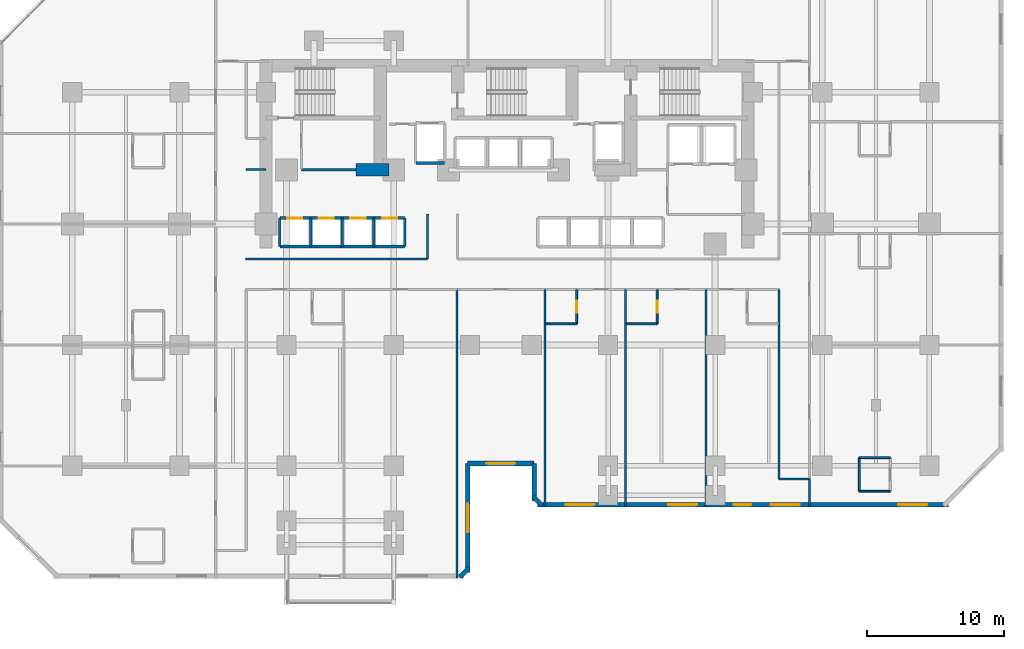
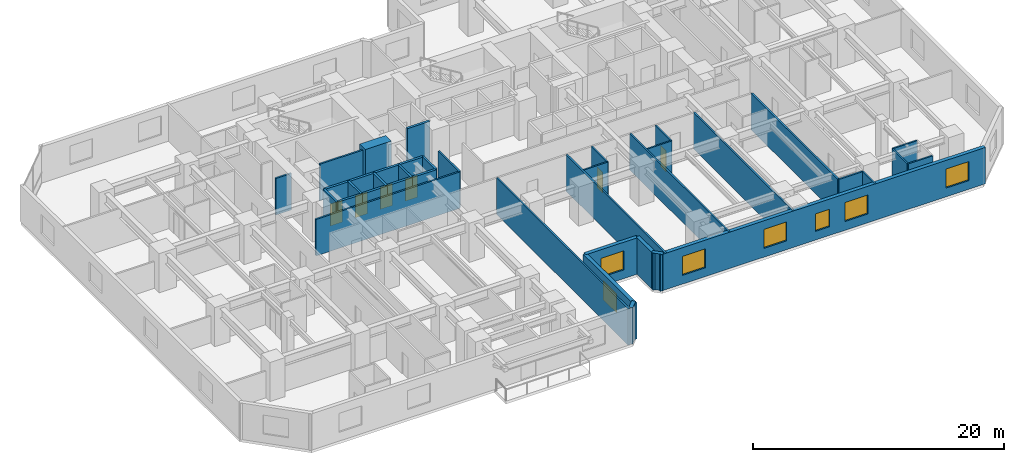
# One storey, part 6 of 12: 39 walls, 7 windows, 6 doors, 13 openings.
"""IFC4 building model written with IfcOpenShell, lengths in metres."""

import ifcopenshell
import ifcopenshell.guid

model = None  # the IFC model being written
_history = None  # IfcOwnerHistory: only IFC2X3 demands one
_inside = {}  # id of a spatial element -> (the spatial element, [elements in it])
_under = {}  # id of a project, library or spatial element -> (it, [spatial elements below it])
_declared = {}  # id of a project -> (the project, [libraries it declares])
_typed = {}  # id of a type object -> (the type object, [elements of that type])
_made_of = {}  # id of a material, layer set ... -> (it, [elements and type objects made of it])


def new_model(schema):
    """Start an empty IFC model of exactly this schema.

    Asked for "IFC4X3", IfcOpenShell would pick the latest addendum, in which some entities
    have other attributes; the version numbers below select the first issue.
    IFC2X3 requires an IfcOwnerHistory on every rooted entity: one is made here for all.
    """
    global model, _history
    if schema == "IFC4X3":
        model = ifcopenshell.file(schema_version=(4, 3, 0, 0))
    else:
        model = ifcopenshell.file(schema=schema)
    _inside.clear()
    _under.clear()
    _declared.clear()
    _typed.clear()
    _made_of.clear()
    _history = None
    if model.schema == "IFC2X3":
        org = make("IfcOrganization", Name="unknown")
        user = make(
            "IfcPersonAndOrganization",
            ThePerson=make("IfcPerson", FamilyName="unknown"),
            TheOrganization=org,
        )
        app = make(
            "IfcApplication",
            ApplicationDeveloper=org,
            Version="unknown",
            ApplicationFullName="unknown",
            ApplicationIdentifier="unknown",
        )
        _history = make(
            "IfcOwnerHistory",
            OwningUser=user,
            OwningApplication=app,
            ChangeAction="ADDED",
            CreationDate=0,
        )
    return model


def make(cls, **values):
    """One entity of the class cls with the attributes given. An attribute that is None is left unset."""
    return model.create_entity(
        cls, **{name: value for name, value in values.items() if value is not None}
    )


def rooted(cls, **values):
    """An entity with a GlobalId (a new one), such as an element, a storey or a relation."""
    return make(cls, GlobalId=ifcopenshell.guid.new(), OwnerHistory=_history, **values)


def si_unit(unit_type, name, prefix=None):
    """IfcSIUnit, for example si_unit("LENGTHUNIT", "METRE", prefix="MILLI")."""
    return make("IfcSIUnit", UnitType=unit_type, Prefix=prefix, Name=name)


def assignment(units):
    """IfcUnitAssignment: the units of a project."""
    return None if units is None else make("IfcUnitAssignment", Units=units)


def point(xyz):
    """IfcCartesianPoint."""
    return None if xyz is None else make("IfcCartesianPoint", Coordinates=xyz)


def direction(xyz):
    """IfcDirection."""
    return None if xyz is None else make("IfcDirection", DirectionRatios=xyz)


def frame(location, z_axis=None, x_axis=None):
    """IfcAxis2Placement3D, a coordinate frame: its origin and axes. An axis left out is left unset."""
    return make(
        "IfcAxis2Placement3D",
        Location=point(location),
        Axis=direction(z_axis),
        RefDirection=direction(x_axis),
    )


def frame_2d(location, x_axis=None):
    """IfcAxis2Placement2D, a coordinate frame in the plane: its origin and x axis."""
    return make(
        "IfcAxis2Placement2D", Location=point(location), RefDirection=direction(x_axis)
    )


def origin():
    """The frame at (0, 0, 0) with its axes left unset."""
    return frame((0.0, 0.0, 0.0))


def place(relative_to, where):
    """IfcLocalPlacement: puts the frame where relative to a parent placement (None: the world)."""
    return make(
        "IfcLocalPlacement", PlacementRelTo=relative_to, RelativePlacement=where
    )


def context(
    kind, dimensions, precision=None, world=None, true_north=None, identifier=None
):
    """IfcGeometricRepresentationContext, for example the 3D "Model" context."""
    return make(
        "IfcGeometricRepresentationContext",
        ContextIdentifier=identifier,
        ContextType=kind,
        CoordinateSpaceDimension=dimensions,
        Precision=precision,
        WorldCoordinateSystem=world,
        TrueNorth=true_north,
    )


def subcontext(parent, identifier, kind, view, scale=None):
    """IfcGeometricRepresentationSubContext, for example "Body" below "Model"."""
    return make(
        "IfcGeometricRepresentationSubContext",
        ContextIdentifier=identifier,
        ContextType=kind,
        ParentContext=parent,
        TargetScale=scale,
        TargetView=view,
    )


def project(units=None, contexts=None):
    """IfcProject with its units and contexts."""
    return rooted(
        "IfcProject",
        Name="project",
        RepresentationContexts=contexts,
        UnitsInContext=assignment(units),
    )


def spatial(cls, under=None, at=None, **own):
    """A site, building, storey or space (cls), placed at a placement, below another one or the project."""
    s = rooted(cls, ObjectPlacement=at, **own)
    if under is not None:
        _under.setdefault(under.id(), (under, []))[1].append(s)
    return s


def profile(cls, at=None, kind="AREA", **sizes):
    """A parametric profile (cls). Its sizes go by their IFC names, for example OverallWidth=200.0."""
    return make(cls, ProfileType=kind, Position=at, **sizes)


def rectangle(**sizes):
    """IfcRectangleProfileDef."""
    return profile("IfcRectangleProfileDef", **sizes)


def extrude(swept, where, along, depth):
    """IfcExtrudedAreaSolid: the profile swept, set in the frame where, extruded along a direction by depth."""
    return make(
        "IfcExtrudedAreaSolid",
        SweptArea=swept,
        Position=where,
        ExtrudedDirection=direction(along),
        Depth=depth,
    )


def shape(context_of_items, identifier, shape_type, items):
    """IfcShapeRepresentation: the items that make up one representation, for example the "Body"."""
    return make(
        "IfcShapeRepresentation",
        ContextOfItems=context_of_items,
        RepresentationIdentifier=identifier,
        RepresentationType=shape_type,
        Items=items,
    )


def material(Name=None, Category=None):
    """IfcMaterial."""
    return make("IfcMaterial", Name=Name, Category=Category)


def layer(
    of_material, thickness, ventilated=None, Name=None, Category=None, Priority=None
):
    """IfcMaterialLayer: one layer of a wall or slab, of a material (None: an air gap)."""
    return make(
        "IfcMaterialLayer",
        Material=of_material,
        LayerThickness=thickness,
        IsVentilated=ventilated,
        Name=Name,
        Category=Category,
        Priority=Priority,
    )


def layer_set(layers, Name=None):
    """IfcMaterialLayerSet."""
    return make("IfcMaterialLayerSet", MaterialLayers=layers, LayerSetName=Name)


def made_of(thing, what):
    """Note that an element or type object is made of a material, layer set ...; save() writes the relation."""
    if what is not None:
        _made_of.setdefault(what.id(), (what, []))[1].append(thing)
    return thing


def type_object(cls, material=None, **own):
    """A type object (cls), such as IfcWallType, which elements share."""
    return made_of(rooted(cls, **own), material)


def element(
    cls,
    number,
    at=None,
    inside=None,
    cuts=None,
    type_object=None,
    material=None,
    context=None,
    identifier="Body",
    shape_type=None,
    held_by="IfcProductDefinitionShape",
    body=None,
    shapes=None,
    **own,
):
    """One element of the class cls, such as IfcWall. Its Tag is "e" and its number.

    at: its placement. inside: the storey or other place that contains it. cuts: it is an
    opening in that element (IfcRelVoidsElement). A single representation is given by context,
    identifier, shape_type and body (its items); several are given by shapes. held_by: the class
    of the entity that holds the representations. save() writes the other relations.
    """
    e = rooted(cls, Tag="e%d" % number, ObjectPlacement=at, **own)
    if body is not None:
        shapes = [shape(context, identifier, shape_type, body)]
    if shapes is not None:
        e.Representation = make(held_by, Representations=shapes)
    if inside is not None:
        _inside.setdefault(inside.id(), (inside, []))[1].append(e)
    if cuts is not None:
        rooted(
            "IfcRelVoidsElement", RelatingBuildingElement=cuts, RelatedOpeningElement=e
        )
    if type_object is not None:
        _typed.setdefault(type_object.id(), (type_object, []))[1].append(e)
    return made_of(e, material)


def fill(opening, filler):
    """IfcRelFillsElement: the door or window that sits in an opening."""
    return rooted(
        "IfcRelFillsElement",
        RelatingOpeningElement=opening,
        RelatedBuildingElement=filler,
    )


def aggregate(whole, parts):
    """IfcRelAggregates: a whole, such as a stair, and the parts it consists of."""
    return rooted("IfcRelAggregates", RelatingObject=whole, RelatedObjects=parts)


def save(model, path):
    """Write the relations noted so far, then the file.

    IfcRelAggregates (storeys below a building ...), IfcRelContainedInSpatialStructure (elements
    in a storey), IfcRelDefinesByType, IfcRelAssociatesMaterial and IfcRelDeclares: one each for
    every whole, place, type object, material and project.
    """
    for whole, parts in _under.values():
        aggregate(whole, parts)
    for where, things in _inside.values():
        rooted(
            "IfcRelContainedInSpatialStructure",
            RelatedElements=things,
            RelatingStructure=where,
        )
    for kind, things in _typed.values():
        rooted("IfcRelDefinesByType", RelatedObjects=things, RelatingType=kind)
    for what, things in _made_of.values():
        rooted("IfcRelAssociatesMaterial", RelatedObjects=things, RelatingMaterial=what)
    for by, libraries in _declared.values():
        rooted("IfcRelDeclares", RelatingContext=by, RelatedDefinitions=libraries)
    model.write(path)


model = new_model("IFC4")

# Units and contexts
model_context = context("Model", 3, precision=1e-05, world=origin(), true_north=direction((0.0, 1.0)))
body_context = subcontext(model_context, "Body", "Model", "MODEL_VIEW")
ifc_project = project(units=[si_unit("LENGTHUNIT", "METRE"), si_unit("AREAUNIT", "SQUARE_METRE"), si_unit("VOLUMEUNIT", "CUBIC_METRE"), si_unit("PLANEANGLEUNIT", "RADIAN"), si_unit("MASSUNIT", "GRAM", prefix="KILO")], contexts=[model_context])

# Site, building, storey
site_placement = place(None, origin())
site = spatial("IfcSite", under=ifc_project, at=site_placement, CompositionType="ELEMENT")
building_placement = place(site_placement, origin())
building = spatial("IfcBuilding", under=site, at=building_placement, Name="Kestravale Grand Hotel", CompositionType="ELEMENT")
storey_placement = place(building_placement, frame((0.0, 0.0, 60.199951171875)))
storey = spatial("IfcBuildingStorey", under=building, at=storey_placement, Name="L14", CompositionType="ELEMENT", Elevation=60.199951171875)

# Walls
ifc_material_1 = material(Name="Concrete f'c 70 MPa", Category="concrete")
ifc_layer_1 = layer(ifc_material_1, 0.89990234375)
ifc_layer_set_1 = layer_set([ifc_layer_1], Name="EW-CORE-900")
wall_type_1 = type_object("IfcWallType", Name="EW-CORE-900", PredefinedType="SHEAR", material=ifc_layer_set_1)
wall_1_placement = place(storey_placement, frame((28.449951171875, 32.75, 0.0), z_axis=(0.0, 0.0, 1.0), x_axis=(1.0, 0.0, 0.0)))
element("IfcWall", 1, at=wall_1_placement, inside=storey, type_object=wall_type_1, Name="L14 core shear wall S1", PredefinedType="SHEAR", context=body_context, shape_type="SweptSolid", body=[
    extrude(rectangle(XDim=2.400146484375, YDim=0.89990234375, at=frame_2d((1.2001953125, 0.0))), origin(), (0.0, 0.0, 1.0), 3.800048828125),
])
ifc_material_2 = material(Name="Precast concrete f'c 45 MPa", Category="concrete")
ifc_layer_2 = layer(ifc_material_2, 0.340087890625)
ifc_layer_set_2 = layer_set([ifc_layer_2], Name="EW-PREC-340")
wall_type_2 = type_object("IfcWallType", Name="EW-PREC-340", PredefinedType="SOLIDWALL", material=ifc_layer_set_2)
wall_2_placement = place(storey_placement, frame((36.00146484375, 3.091796875, 0.0), z_axis=(0.0, 0.0, 1.0), x_axis=(0.707106781187, 0.707106781187, 0.0)))
element("IfcWall", 2, at=wall_2_placement, inside=storey, type_object=wall_type_2, Name="L14 fluted precast facade wall 2", PredefinedType="SOLIDWALL", context=body_context, shape_type="SweptSolid", body=[
    extrude(rectangle(XDim=0.9287109375, YDim=0.340087890625, at=frame_2d((0.46435546875, 0.0))), origin(), (0.0, 0.0, 1.0), 3.5400390625),
])

# Wall, opening, window
wall_3_placement = place(storey_placement, frame((36.580078125, 3.429931640625, 0.0), z_axis=(0.0, 0.0, 1.0), x_axis=(0.0, 1.0, 0.0)))
wall_3 = element("IfcWall", 3, at=wall_3_placement, inside=storey, type_object=wall_type_2, Name="L14 fluted precast facade wall 3", PredefinedType="SOLIDWALL", context=body_context, shape_type="SweptSolid", body=[
    extrude(rectangle(XDim=7.940185546875, YDim=0.340087890625, at=frame_2d((3.97021484375, 0.0))), origin(), (0.0, 0.0, 1.0), 3.5400390625),
])
opening_1_placement = place(wall_3_placement, frame((2.919921875, 0.0, 0.85009765625)))
opening_1 = element("IfcOpeningElement", 4, at=opening_1_placement, cuts=wall_3, Name="Opening W-GUEST-2100", PredefinedType="OPENING", context=body_context, shape_type="SweptSolid", body=[
    extrude(rectangle(XDim=2.10009765625, YDim=1.85009765625, at=frame_2d((1.050048828125, 0.925048828125))), frame((0.0, 0.179931640625, 0.0), z_axis=(0.0, -1.0, 0.0), x_axis=(1.0, 0.0, 0.0)), (0.0, 0.0, 1.0), 0.360107421875),
])
ifc_material_3 = material(Name="Insulated low-E double glazing in aluminium frame", Category="aluminium")
window_type_1 = type_object("IfcWindowType", Name="W-GUEST-2100", PartitioningType="DOUBLE_PANEL_VERTICAL", PredefinedType="WINDOW", material=ifc_material_3)
window_1_placement = place(opening_1_placement, origin())
window_1 = element("IfcWindow", 5, at=window_1_placement, inside=storey, type_object=window_type_1, Name="L14 exterior window 3.1", OverallHeight=1.85009765625, OverallWidth=2.10009765625, PartitioningType="SINGLE_PANEL", PredefinedType="WINDOW", context=body_context, shape_type="SweptSolid", body=[
    extrude(rectangle(XDim=2.10009765625, YDim=1.85009765625, at=frame_2d((1.050048828125, 0.925048828125))), frame((0.0, 0.030029296875, 0.0), z_axis=(0.0, -1.0, 0.0), x_axis=(1.0, 0.0, 0.0)), (0.0, 0.0, 1.0), 0.06005859375),
])
fill(opening_1, window_1)

wall_4_placement = place(storey_placement, frame((36.580078125, 11.3701171875, 0.0), z_axis=(0.0, 0.0, 1.0), x_axis=(1.0, 0.0, 0.0)))
wall_4 = element("IfcWall", 6, at=wall_4_placement, inside=storey, type_object=wall_type_2, Name="L14 fluted precast facade wall 4", PredefinedType="SOLIDWALL", context=body_context, shape_type="SweptSolid", body=[
    extrude(rectangle(XDim=4.83984375, YDim=0.340087890625, at=frame_2d((2.419921875, 0.0))), origin(), (0.0, 0.0, 1.0), 3.5400390625),
])
opening_2_placement = place(wall_4_placement, frame((1.3701171875, 0.0, 0.85009765625)))
opening_2 = element("IfcOpeningElement", 7, at=opening_2_placement, cuts=wall_4, Name="Opening W-GUEST-2100", PredefinedType="OPENING", context=body_context, shape_type="SweptSolid", body=[
    extrude(rectangle(XDim=2.10009765625, YDim=1.85009765625, at=frame_2d((1.050048828125, 0.925048828125))), frame((0.0, 0.179931640625, 0.0), z_axis=(0.0, -1.0, 0.0), x_axis=(1.0, 0.0, 0.0)), (0.0, 0.0, 1.0), 0.360107421875),
])
window_2_placement = place(opening_2_placement, origin())
window_2 = element("IfcWindow", 8, at=window_2_placement, inside=storey, type_object=window_type_1, Name="L14 exterior window 4.1", OverallHeight=1.85009765625, OverallWidth=2.10009765625, PartitioningType="SINGLE_PANEL", PredefinedType="WINDOW", context=body_context, shape_type="SweptSolid", body=[
    extrude(rectangle(XDim=2.10009765625, YDim=1.85009765625, at=frame_2d((1.050048828125, 0.925048828125))), frame((0.0, 0.030029296875, 0.0), z_axis=(0.0, -1.0, 0.0), x_axis=(1.0, 0.0, 0.0)), (0.0, 0.0, 1.0), 0.06005859375),
])
fill(opening_2, window_2)

# Walls
wall_5_placement = place(storey_placement, frame((41.419921875, 11.3701171875, 0.0), z_axis=(0.0, 0.0, 1.0), x_axis=(0.0, -1.0, 0.0)))
element("IfcWall", 9, at=wall_5_placement, inside=storey, type_object=wall_type_2, Name="L14 fluted precast facade wall 5", PredefinedType="SOLIDWALL", context=body_context, shape_type="SweptSolid", body=[
    extrude(rectangle(XDim=2.740234375, YDim=0.340087890625, at=frame_2d((1.3701171875, 0.0))), origin(), (0.0, 0.0, 1.0), 3.5400390625),
])
wall_6_placement = place(storey_placement, frame((41.341796875, 8.948486328125, 0.0), z_axis=(0.0, 0.0, 1.0), x_axis=(0.707238225886, -0.706975312048, 0.0)))
element("IfcWall", 10, at=wall_6_placement, inside=storey, type_object=wall_type_2, Name="L14 fluted precast facade wall 6", PredefinedType="SOLIDWALL", context=body_context, shape_type="SweptSolid", body=[
    extrude(rectangle(XDim=0.9287109375, YDim=0.340087890625, at=frame_2d((0.46435546875, 0.0))), origin(), (0.0, 0.0, 1.0), 3.5400390625),
])

# Wall, openings, windows
wall_7_placement = place(storey_placement, frame((41.679931640625, 8.3701171875, 0.0), z_axis=(0.0, 0.0, 1.0), x_axis=(1.0, 0.0, 0.0)))
wall_7 = element("IfcWall", 11, at=wall_7_placement, inside=storey, type_object=wall_type_2, Name="L14 fluted precast facade wall 7", PredefinedType="SOLIDWALL", context=body_context, shape_type="SweptSolid", body=[
    extrude(rectangle(XDim=29.89013671875, YDim=0.340087890625, at=frame_2d((14.945068359375, 0.0))), origin(), (0.0, 0.0, 1.0), 3.5400390625),
])
opening_3_placement = place(wall_7_placement, frame((2.0361328125, 0.0, 0.85009765625)))
opening_3 = element("IfcOpeningElement", 12, at=opening_3_placement, cuts=wall_7, Name="Opening W-GUEST-2100", PredefinedType="OPENING", context=body_context, shape_type="SweptSolid", body=[
    extrude(rectangle(XDim=2.10009765625, YDim=1.85009765625, at=frame_2d((1.050048828125, 0.925048828125))), frame((0.0, 0.179931640625, 0.0), z_axis=(0.0, -1.0, 0.0), x_axis=(1.0, 0.0, 0.0)), (0.0, 0.0, 1.0), 0.360107421875),
])
opening_4_placement = place(wall_7_placement, frame((9.5087890625, 0.0, 0.85009765625)))
opening_4 = element("IfcOpeningElement", 13, at=opening_4_placement, cuts=wall_7, Name="Opening W-GUEST-2100", PredefinedType="OPENING", context=body_context, shape_type="SweptSolid", body=[
    extrude(rectangle(XDim=2.10009765625, YDim=1.85009765625, at=frame_2d((1.050048828125, 0.925048828125))), frame((0.0, 0.179931640625, 0.0), z_axis=(0.0, -1.0, 0.0), x_axis=(1.0, 0.0, 0.0)), (0.0, 0.0, 1.0), 0.360107421875),
])
opening_5_placement = place(wall_7_placement, frame((16.981201171875, 0.0, 0.85009765625)))
opening_5 = element("IfcOpeningElement", 14, at=opening_5_placement, cuts=wall_7, Name="Opening W-GUEST-2100", PredefinedType="OPENING", context=body_context, shape_type="SweptSolid", body=[
    extrude(rectangle(XDim=2.10009765625, YDim=1.85009765625, at=frame_2d((1.050048828125, 0.925048828125))), frame((0.0, 0.179931640625, 0.0), z_axis=(0.0, -1.0, 0.0), x_axis=(1.0, 0.0, 0.0)), (0.0, 0.0, 1.0), 0.360107421875),
])
opening_6_placement = place(wall_7_placement, frame((26.253662109375, 0.0, 0.85009765625)))
opening_6 = element("IfcOpeningElement", 15, at=opening_6_placement, cuts=wall_7, Name="Opening W-GUEST-2100", PredefinedType="OPENING", context=body_context, shape_type="SweptSolid", body=[
    extrude(rectangle(XDim=2.10009765625, YDim=1.85009765625, at=frame_2d((1.050048828125, 0.925048828125))), frame((0.0, 0.179931640625, 0.0), z_axis=(0.0, -1.0, 0.0), x_axis=(1.0, 0.0, 0.0)), (0.0, 0.0, 1.0), 0.360107421875),
])
opening_7_placement = place(wall_7_placement, frame((14.264892578125, 0.0, 0.85009765625)))
opening_7 = element("IfcOpeningElement", 16, at=opening_7_placement, cuts=wall_7, Name="Opening W-GUEST-1300", PredefinedType="OPENING", context=body_context, shape_type="SweptSolid", body=[
    extrude(rectangle(XDim=1.300048828125, YDim=1.699951171875, at=frame_2d((0.64990234375, 0.85009765625))), frame((0.0, 0.179931640625, 0.0), z_axis=(0.0, -1.0, 0.0), x_axis=(1.0, 0.0, 0.0)), (0.0, 0.0, 1.0), 0.360107421875),
])
ifc_material_4 = material(Name="Insulated low-E double glazing in aluminium frame", Category="aluminium")
window_type_2 = type_object("IfcWindowType", Name="W-GUEST-1300", PartitioningType="SINGLE_PANEL", PredefinedType="WINDOW", material=ifc_material_4)
window_3_placement = place(opening_7_placement, origin())
window_3 = element("IfcWindow", 17, at=window_3_placement, inside=storey, type_object=window_type_2, Name="L14 guestroom envelope window 1", OverallHeight=1.699951171875, OverallWidth=1.300048828125, PartitioningType="SINGLE_PANEL", PredefinedType="WINDOW", context=body_context, shape_type="SweptSolid", body=[
    extrude(rectangle(XDim=1.300048828125, YDim=1.699951171875, at=frame_2d((0.64990234375, 0.85009765625))), frame((0.0, 0.030029296875, 0.0), z_axis=(0.0, -1.0, 0.0), x_axis=(1.0, 0.0, 0.0)), (0.0, 0.0, 1.0), 0.06005859375),
])
fill(opening_7, window_3)
window_4_placement = place(opening_3_placement, origin())
window_4 = element("IfcWindow", 18, at=window_4_placement, inside=storey, type_object=window_type_1, Name="L14 exterior window 7.1", OverallHeight=1.85009765625, OverallWidth=2.10009765625, PartitioningType="SINGLE_PANEL", PredefinedType="WINDOW", context=body_context, shape_type="SweptSolid", body=[
    extrude(rectangle(XDim=2.10009765625, YDim=1.85009765625, at=frame_2d((1.050048828125, 0.925048828125))), frame((0.0, 0.030029296875, 0.0), z_axis=(0.0, -1.0, 0.0), x_axis=(1.0, 0.0, 0.0)), (0.0, 0.0, 1.0), 0.06005859375),
])
fill(opening_3, window_4)
window_5_placement = place(opening_4_placement, origin())
window_5 = element("IfcWindow", 19, at=window_5_placement, inside=storey, type_object=window_type_1, Name="L14 exterior window 7.2", OverallHeight=1.85009765625, OverallWidth=2.10009765625, PartitioningType="SINGLE_PANEL", PredefinedType="WINDOW", context=body_context, shape_type="SweptSolid", body=[
    extrude(rectangle(XDim=2.10009765625, YDim=1.85009765625, at=frame_2d((1.050048828125, 0.925048828125))), frame((0.0, 0.030029296875, 0.0), z_axis=(0.0, -1.0, 0.0), x_axis=(1.0, 0.0, 0.0)), (0.0, 0.0, 1.0), 0.06005859375),
])
fill(opening_4, window_5)
window_6_placement = place(opening_5_placement, origin())
window_6 = element("IfcWindow", 20, at=window_6_placement, inside=storey, type_object=window_type_1, Name="L14 exterior window 7.3", OverallHeight=1.85009765625, OverallWidth=2.10009765625, PartitioningType="SINGLE_PANEL", PredefinedType="WINDOW", context=body_context, shape_type="SweptSolid", body=[
    extrude(rectangle(XDim=2.10009765625, YDim=1.85009765625, at=frame_2d((1.050048828125, 0.925048828125))), frame((0.0, 0.030029296875, 0.0), z_axis=(0.0, -1.0, 0.0), x_axis=(1.0, 0.0, 0.0)), (0.0, 0.0, 1.0), 0.06005859375),
])
fill(opening_5, window_6)
window_7_placement = place(opening_6_placement, origin())
window_7 = element("IfcWindow", 21, at=window_7_placement, inside=storey, type_object=window_type_1, Name="L14 exterior window 7.4", OverallHeight=1.85009765625, OverallWidth=2.10009765625, PartitioningType="SINGLE_PANEL", PredefinedType="WINDOW", context=body_context, shape_type="SweptSolid", body=[
    extrude(rectangle(XDim=2.10009765625, YDim=1.85009765625, at=frame_2d((1.050048828125, 0.925048828125))), frame((0.0, 0.030029296875, 0.0), z_axis=(0.0, -1.0, 0.0), x_axis=(1.0, 0.0, 0.0)), (0.0, 0.0, 1.0), 0.06005859375),
])
fill(opening_6, window_7)

# Walls
ifc_material_5 = material(Name="Acoustic fire-rated gypsum board partition", Category="other")
ifc_layer_3 = layer(ifc_material_5, 0.159912109375)
ifc_layer_set_3 = layer_set([ifc_layer_3], Name="IW-CORR-160")
wall_type_3 = type_object("IfcWallType", Name="IW-CORR-160", PredefinedType="PARTITIONING", material=ifc_layer_set_3)
wall_8_placement = place(storey_placement, frame((24.47998046875, 32.75, 0.0), z_axis=(0.0, 0.0, 1.0), x_axis=(1.0, 0.0, 0.0)))
element("IfcWall", 22, at=wall_8_placement, inside=storey, type_object=wall_type_3, Name="W-L14-CWS", PredefinedType="PARTITIONING", context=body_context, shape_type="SweptSolid", body=[
    extrude(rectangle(XDim=3.969970703125, YDim=0.159912109375, at=frame_2d((1.98486328125, 0.0))), origin(), (0.0, 0.0, 1.0), 3.5400390625),
])
wall_9_placement = place(storey_placement, frame((20.39990234375, 26.260009765625, 0.0), z_axis=(0.0, 0.0, 1.0), x_axis=(1.0, 0.0, 0.0)))
element("IfcWall", 23, at=wall_9_placement, inside=storey, type_object=wall_type_3, Name="W-L14-CW-N", PredefinedType="PARTITIONING", context=body_context, shape_type="SweptSolid", body=[
    extrude(rectangle(XDim=13.25, YDim=0.159912109375, at=frame_2d((6.625, 0.0))), origin(), (0.0, 0.0, 1.0), 3.5400390625),
])
wall_10_placement = place(storey_placement, frame((33.64990234375, 26.260009765625, 0.0), z_axis=(0.0, 0.0, 1.0), x_axis=(0.0, 1.0, 0.0)))
element("IfcWall", 24, at=wall_10_placement, inside=storey, type_object=wall_type_3, Name="W-L14-TRUNK-W", PredefinedType="PARTITIONING", context=body_context, shape_type="SweptSolid", body=[
    extrude(rectangle(XDim=3.2900390625, YDim=0.159912109375, at=frame_2d((1.64501953125, 0.0))), origin(), (0.0, 0.0, 1.0), 3.5400390625),
])
wall_11_placement = place(storey_placement, frame((20.4599609375, 32.780029296875, 0.0), z_axis=(0.0, 0.0, 1.0), x_axis=(1.0, 0.0, 0.0)))
element("IfcWall", 25, at=wall_11_placement, inside=storey, type_object=wall_type_3, Name="W-L14-SW-CS", PredefinedType="PARTITIONING", context=body_context, shape_type="SweptSolid", body=[
    extrude(rectangle(XDim=1.43994140625, YDim=0.159912109375, at=frame_2d((0.719970703125, 0.0))), origin(), (0.0, 0.0, 1.0), 3.5400390625),
])
wall_12_placement = place(storey_placement, frame((59.239990234375, 10.25, 0.0), z_axis=(0.0, 0.0, 1.0), x_axis=(0.0, 1.0, 0.0)))
element("IfcWall", 26, at=wall_12_placement, inside=storey, type_object=wall_type_3, Name="W-L14-SE-W", PredefinedType="PARTITIONING", context=body_context, shape_type="SweptSolid", body=[
    extrude(rectangle(XDim=13.7900390625, YDim=0.159912109375, at=frame_2d((6.89501953125, 0.0))), origin(), (0.0, 0.0, 1.0), 3.5400390625),
])

# Wall, opening, door
ifc_material_6 = material(Name="Moisture-resistant tile-backer plumbing chase wall", Category="other")
ifc_layer_4 = layer(ifc_material_6, 0.139892578125)
ifc_layer_set_4 = layer_set([ifc_layer_4], Name="IW-PLB-140")
wall_type_4 = type_object("IfcWallType", Name="IW-PLB-140", PredefinedType="PLUMBINGWALL", material=ifc_layer_set_4)
wall_13_placement = place(storey_placement, frame((44.52001953125, 21.530029296875, 0.0), z_axis=(0.0, 0.0, 1.0), x_axis=(0.0, 1.0, 0.0)))
wall_13 = element("IfcWall", 27, at=wall_13_placement, inside=storey, type_object=wall_type_4, Name="W-L14-U02-BE", PredefinedType="PLUMBINGWALL", context=body_context, shape_type="SweptSolid", body=[
    extrude(rectangle(XDim=2.489990234375, YDim=0.139892578125, at=frame_2d((1.2451171875, 0.0))), origin(), (0.0, 0.0, 1.0), 3.5400390625),
])
opening_8_placement = place(wall_13_placement, frame((0.804931640625, 0.0, 0.0)))
opening_8 = element("IfcOpeningElement", 28, at=opening_8_placement, cuts=wall_13, Name="Opening D-BATH-880", PredefinedType="OPENING", context=body_context, shape_type="SweptSolid", body=[
    extrude(rectangle(XDim=0.8798828125, YDim=2.050048828125, at=frame_2d((0.43994140625, 1.02490234375))), frame((0.0, 0.079833984375, 0.0), z_axis=(0.0, -1.0, 0.0), x_axis=(1.0, 0.0, 0.0)), (0.0, 0.0, 1.0), 0.159912109375),
])
ifc_material_7 = material(Name="Moisture-sealed walnut en-suite bathroom door", Category="wood")
door_type_1 = type_object("IfcDoorType", Name="D-BATH-880", OperationType="NOTDEFINED", PredefinedType="DOOR", material=ifc_material_7)
door_1_placement = place(opening_8_placement, origin())
door_1 = element("IfcDoor", 29, at=door_1_placement, inside=storey, type_object=door_type_1, Name="D-L14-U02-BATH", OperationType="SINGLE_SWING_RIGHT", OverallHeight=2.050048828125, OverallWidth=0.8798828125, PredefinedType="DOOR", context=body_context, shape_type="SweptSolid", body=[
    extrude(rectangle(XDim=0.8798828125, YDim=2.050048828125, at=frame_2d((0.43994140625, 1.02490234375))), frame((0.0, 0.02490234375, 0.0), z_axis=(0.0, -1.0, 0.0), x_axis=(1.0, 0.0, 0.0)), (0.0, 0.0, 1.0), 0.050048828125),
])
fill(opening_8, door_1)

# Wall
wall_14_placement = place(storey_placement, frame((42.27001953125, 21.530029296875, 0.0), z_axis=(0.0, 0.0, 1.0), x_axis=(1.0, 0.0, 0.0)))
element("IfcWall", 30, at=wall_14_placement, inside=storey, type_object=wall_type_4, Name="W-L14-U02-BS", PredefinedType="PLUMBINGWALL", context=body_context, shape_type="SweptSolid", body=[
    extrude(rectangle(XDim=2.25, YDim=0.139892578125, at=frame_2d((1.125, 0.0))), origin(), (0.0, 0.0, 1.0), 3.5400390625),
])

# Wall, opening, door
wall_15_placement = place(storey_placement, frame((50.3798828125, 21.530029296875, 0.0), z_axis=(0.0, 0.0, 1.0), x_axis=(0.0, 1.0, 0.0)))
wall_15 = element("IfcWall", 31, at=wall_15_placement, inside=storey, type_object=wall_type_4, Name="W-L14-U03-BE", PredefinedType="PLUMBINGWALL", context=body_context, shape_type="SweptSolid", body=[
    extrude(rectangle(XDim=2.489990234375, YDim=0.139892578125, at=frame_2d((1.2451171875, 0.0))), origin(), (0.0, 0.0, 1.0), 3.5400390625),
])
opening_9_placement = place(wall_15_placement, frame((0.804931640625, 0.0, 0.0)))
opening_9 = element("IfcOpeningElement", 32, at=opening_9_placement, cuts=wall_15, Name="Opening D-BATH-880", PredefinedType="OPENING", context=body_context, shape_type="SweptSolid", body=[
    extrude(rectangle(XDim=0.8798828125, YDim=2.050048828125, at=frame_2d((0.43994140625, 1.02490234375))), frame((0.0, 0.079833984375, 0.0), z_axis=(0.0, -1.0, 0.0), x_axis=(1.0, 0.0, 0.0)), (0.0, 0.0, 1.0), 0.159912109375),
])
door_2_placement = place(opening_9_placement, origin())
door_2 = element("IfcDoor", 33, at=door_2_placement, inside=storey, type_object=door_type_1, Name="D-L14-U03-BATH", OperationType="SINGLE_SWING_RIGHT", OverallHeight=2.050048828125, OverallWidth=0.8798828125, PredefinedType="DOOR", context=body_context, shape_type="SweptSolid", body=[
    extrude(rectangle(XDim=0.8798828125, YDim=2.050048828125, at=frame_2d((0.43994140625, 1.02490234375))), frame((0.0, 0.02490234375, 0.0), z_axis=(0.0, -1.0, 0.0), x_axis=(1.0, 0.0, 0.0)), (0.0, 0.0, 1.0), 0.050048828125),
])
fill(opening_9, door_2)

# Walls
wall_16_placement = place(storey_placement, frame((48.1298828125, 21.530029296875, 0.0), z_axis=(0.0, 0.0, 1.0), x_axis=(1.0, 0.0, 0.0)))
element("IfcWall", 34, at=wall_16_placement, inside=storey, type_object=wall_type_4, Name="W-L14-U03-BS", PredefinedType="PLUMBINGWALL", context=body_context, shape_type="SweptSolid", body=[
    extrude(rectangle(XDim=2.25, YDim=0.139892578125, at=frame_2d((1.125, 0.0))), origin(), (0.0, 0.0, 1.0), 3.5400390625),
])
wall_17_placement = place(storey_placement, frame((65.10009765625, 9.35009765625, 0.0), z_axis=(0.0, 0.0, 1.0), x_axis=(0.0, 1.0, 0.0)))
element("IfcWall", 35, at=wall_17_placement, inside=storey, type_object=wall_type_4, Name="W-L14-U09-BW", PredefinedType="PLUMBINGWALL", context=body_context, shape_type="SweptSolid", body=[
    extrude(rectangle(XDim=2.449951171875, YDim=0.139892578125, at=frame_2d((1.22509765625, 0.0))), origin(), (0.0, 0.0, 1.0), 3.5400390625),
])
for number, where, z_axis, x_axis, name in (
    (36, (65.10009765625, 9.35009765625, 0.0), (0.0, 0.0, 1.0), (1.0, 0.0, 0.0), "W-L14-U09-BS"),
    (37, (65.10009765625, 11.800048828125, 0.0), (0.0, 0.0, 1.0), (1.0, 0.0, 0.0), "W-L14-U09-BN"),
):
    element("IfcWall", number, at=place(storey_placement, frame(where, z_axis=z_axis, x_axis=x_axis)), inside=storey, type_object=wall_type_4, Name=name, PredefinedType="PLUMBINGWALL", context=body_context, shape_type="SweptSolid", body=[
        extrude(rectangle(XDim=2.25, YDim=0.139892578125, at=frame_2d((1.125, 0.0))), origin(), (0.0, 0.0, 1.0), 3.5400390625),
    ])
ifc_material_8 = material(Name="Concrete f'c 45 MPa", Category="concrete")
ifc_layer_5 = layer(ifc_material_8, 0.199951171875)
ifc_layer_set_5 = layer_set([ifc_layer_5], Name="IW-SHAFT-200")
wall_type_5 = type_object("IfcWallType", Name="IW-SHAFT-200", PredefinedType="SHEAR", material=ifc_layer_set_5)
for number, where, z_axis, x_axis, name in (
    (38, (22.905029296875, 27.169921875, 0.0), (0.0, 0.0, 1.0), (0.0, 1.0, 0.0), "L14 PL-L1 west shaft wall"),
    (39, (25.14990234375, 27.169921875, 0.0), (0.0, 0.0, 1.0), (0.0, 1.0, 0.0), "L14 PL-L2 west shaft wall"),
    (40, (27.449951171875, 27.169921875, 0.0), (0.0, 0.0, 1.0), (0.0, 1.0, 0.0), "L14 PL-L3 west shaft wall"),
    (41, (29.75, 27.169921875, 0.0), (0.0, 0.0, 1.0), (0.0, 1.0, 0.0), "L14 PL-L4 west shaft wall"),
    (42, (31.9951171875, 27.169921875, 0.0), (0.0, 0.0, 1.0), (0.0, 1.0, 0.0), "L14 PL-L4 east shaft wall"),
):
    element("IfcWall", number, at=place(storey_placement, frame(where, z_axis=z_axis, x_axis=x_axis)), inside=storey, type_object=wall_type_5, Name=name, PredefinedType="SHEAR", context=body_context, shape_type="SweptSolid", body=[
        extrude(rectangle(XDim=2.06005859375, YDim=0.199951171875, at=frame_2d((1.030029296875, 0.0))), origin(), (0.0, 0.0, 1.0), 3.800048828125),
    ])

# Wall, opening, door
ifc_material_9 = material(Name="Concrete f'c 45 MPa", Category="concrete")
ifc_layer_6 = layer(ifc_material_9, 0.219970703125)
ifc_layer_set_6 = layer_set([ifc_layer_6], Name="IW-SHAFT-220")
wall_type_6 = type_object("IfcWallType", Name="IW-SHAFT-220", PredefinedType="SHEAR", material=ifc_layer_set_6)
wall_18_placement = place(storey_placement, frame((22.905029296875, 29.22998046875, 0.0), z_axis=(0.0, 0.0, 1.0), x_axis=(1.0, 0.0, 0.0)))
wall_18 = element("IfcWall", 43, at=wall_18_placement, inside=storey, type_object=wall_type_6, Name="L14 PL-L1 north shaft wall", PredefinedType="SHEAR", context=body_context, shape_type="SweptSolid", body=[
    extrude(rectangle(XDim=2.244873046875, YDim=0.219970703125, at=frame_2d((1.12255859375, 0.0))), origin(), (0.0, 0.0, 1.0), 3.800048828125),
])
opening_10_placement = place(wall_18_placement, frame((0.544921875, 0.0, 0.0)))
opening_10 = element("IfcOpeningElement", 44, at=opening_10_placement, cuts=wall_18, Name="Opening LD-PAX-1100", PredefinedType="OPENING", context=body_context, shape_type="SweptSolid", body=[
    extrude(rectangle(XDim=1.10009765625, YDim=2.14990234375, at=frame_2d((0.550048828125, 1.074951171875))), frame((0.0, 0.119873046875, 0.0), z_axis=(0.0, -1.0, 0.0), x_axis=(1.0, 0.0, 0.0)), (0.0, 0.0, 1.0), 0.239990234375),
])
ifc_material_10 = material(Name="Champagne-bronze center-opening sliding elevator landing door", Category="steel")
door_type_2 = type_object("IfcDoorType", Name="LD-PAX-1100", OperationType="NOTDEFINED", PredefinedType="DOOR", material=ifc_material_10)
door_3_placement = place(opening_10_placement, origin())
door_3 = element("IfcDoor", 45, at=door_3_placement, inside=storey, type_object=door_type_2, Name="L14 PL-L1 elevator landing sliding door", OperationType="DOUBLE_DOOR_SLIDING", OverallHeight=2.14990234375, OverallWidth=1.10009765625, PredefinedType="DOOR", context=body_context, shape_type="SweptSolid", body=[
    extrude(rectangle(XDim=1.10009765625, YDim=2.14990234375, at=frame_2d((0.550048828125, 1.074951171875))), frame((0.0, 0.02490234375, 0.0), z_axis=(0.0, -1.0, 0.0), x_axis=(1.0, 0.0, 0.0)), (0.0, 0.0, 1.0), 0.050048828125),
])
fill(opening_10, door_3)

# Wall
wall_19_placement = place(storey_placement, frame((22.905029296875, 27.169921875, 0.0), z_axis=(0.0, 0.0, 1.0), x_axis=(1.0, 0.0, 0.0)))
element("IfcWall", 46, at=wall_19_placement, inside=storey, type_object=wall_type_6, Name="L14 PL-L1 south shaft wall", PredefinedType="SHEAR", context=body_context, shape_type="SweptSolid", body=[
    extrude(rectangle(XDim=2.244873046875, YDim=0.219970703125, at=frame_2d((1.12255859375, 0.0))), origin(), (0.0, 0.0, 1.0), 3.800048828125),
])

# Wall, opening, door
wall_20_placement = place(storey_placement, frame((25.14990234375, 29.22998046875, 0.0), z_axis=(0.0, 0.0, 1.0), x_axis=(1.0, 0.0, 0.0)))
wall_20 = element("IfcWall", 47, at=wall_20_placement, inside=storey, type_object=wall_type_6, Name="L14 PL-L2 north shaft wall", PredefinedType="SHEAR", context=body_context, shape_type="SweptSolid", body=[
    extrude(rectangle(XDim=2.300048828125, YDim=0.219970703125, at=frame_2d((1.14990234375, 0.0))), origin(), (0.0, 0.0, 1.0), 3.800048828125),
])
opening_11_placement = place(wall_20_placement, frame((0.60009765625, 0.0, 0.0)))
opening_11 = element("IfcOpeningElement", 48, at=opening_11_placement, cuts=wall_20, Name="Opening LD-PAX-1100", PredefinedType="OPENING", context=body_context, shape_type="SweptSolid", body=[
    extrude(rectangle(XDim=1.10009765625, YDim=2.14990234375, at=frame_2d((0.550048828125, 1.074951171875))), frame((0.0, 0.119873046875, 0.0), z_axis=(0.0, -1.0, 0.0), x_axis=(1.0, 0.0, 0.0)), (0.0, 0.0, 1.0), 0.239990234375),
])
door_4_placement = place(opening_11_placement, origin())
door_4 = element("IfcDoor", 49, at=door_4_placement, inside=storey, type_object=door_type_2, Name="L14 PL-L2 elevator landing sliding door", OperationType="DOUBLE_DOOR_SLIDING", OverallHeight=2.14990234375, OverallWidth=1.10009765625, PredefinedType="DOOR", context=body_context, shape_type="SweptSolid", body=[
    extrude(rectangle(XDim=1.10009765625, YDim=2.14990234375, at=frame_2d((0.550048828125, 1.074951171875))), frame((0.0, 0.02490234375, 0.0), z_axis=(0.0, -1.0, 0.0), x_axis=(1.0, 0.0, 0.0)), (0.0, 0.0, 1.0), 0.050048828125),
])
fill(opening_11, door_4)

# Wall
wall_21_placement = place(storey_placement, frame((25.14990234375, 27.169921875, 0.0), z_axis=(0.0, 0.0, 1.0), x_axis=(1.0, 0.0, 0.0)))
element("IfcWall", 50, at=wall_21_placement, inside=storey, type_object=wall_type_6, Name="L14 PL-L2 south shaft wall", PredefinedType="SHEAR", context=body_context, shape_type="SweptSolid", body=[
    extrude(rectangle(XDim=2.300048828125, YDim=0.219970703125, at=frame_2d((1.14990234375, 0.0))), origin(), (0.0, 0.0, 1.0), 3.800048828125),
])

# Wall, opening, door
wall_22_placement = place(storey_placement, frame((27.449951171875, 29.22998046875, 0.0), z_axis=(0.0, 0.0, 1.0), x_axis=(1.0, 0.0, 0.0)))
wall_22 = element("IfcWall", 51, at=wall_22_placement, inside=storey, type_object=wall_type_6, Name="L14 PL-L3 north shaft wall", PredefinedType="SHEAR", context=body_context, shape_type="SweptSolid", body=[
    extrude(rectangle(XDim=2.300048828125, YDim=0.219970703125, at=frame_2d((1.14990234375, 0.0))), origin(), (0.0, 0.0, 1.0), 3.800048828125),
])
opening_12_placement = place(wall_22_placement, frame((0.60009765625, 0.0, 0.0)))
opening_12 = element("IfcOpeningElement", 52, at=opening_12_placement, cuts=wall_22, Name="Opening LD-PAX-1100", PredefinedType="OPENING", context=body_context, shape_type="SweptSolid", body=[
    extrude(rectangle(XDim=1.10009765625, YDim=2.14990234375, at=frame_2d((0.550048828125, 1.074951171875))), frame((0.0, 0.119873046875, 0.0), z_axis=(0.0, -1.0, 0.0), x_axis=(1.0, 0.0, 0.0)), (0.0, 0.0, 1.0), 0.239990234375),
])
door_5_placement = place(opening_12_placement, origin())
door_5 = element("IfcDoor", 53, at=door_5_placement, inside=storey, type_object=door_type_2, Name="L14 PL-L3 elevator landing sliding door", OperationType="DOUBLE_DOOR_SLIDING", OverallHeight=2.14990234375, OverallWidth=1.10009765625, PredefinedType="DOOR", context=body_context, shape_type="SweptSolid", body=[
    extrude(rectangle(XDim=1.10009765625, YDim=2.14990234375, at=frame_2d((0.550048828125, 1.074951171875))), frame((0.0, 0.02490234375, 0.0), z_axis=(0.0, -1.0, 0.0), x_axis=(1.0, 0.0, 0.0)), (0.0, 0.0, 1.0), 0.050048828125),
])
fill(opening_12, door_5)

# Wall
wall_23_placement = place(storey_placement, frame((27.449951171875, 27.169921875, 0.0), z_axis=(0.0, 0.0, 1.0), x_axis=(1.0, 0.0, 0.0)))
element("IfcWall", 54, at=wall_23_placement, inside=storey, type_object=wall_type_6, Name="L14 PL-L3 south shaft wall", PredefinedType="SHEAR", context=body_context, shape_type="SweptSolid", body=[
    extrude(rectangle(XDim=2.300048828125, YDim=0.219970703125, at=frame_2d((1.14990234375, 0.0))), origin(), (0.0, 0.0, 1.0), 3.800048828125),
])

# Wall, opening, door
wall_24_placement = place(storey_placement, frame((29.75, 29.22998046875, 0.0), z_axis=(0.0, 0.0, 1.0), x_axis=(1.0, 0.0, 0.0)))
wall_24 = element("IfcWall", 55, at=wall_24_placement, inside=storey, type_object=wall_type_6, Name="L14 PL-L4 north shaft wall", PredefinedType="SHEAR", context=body_context, shape_type="SweptSolid", body=[
    extrude(rectangle(XDim=2.2451171875, YDim=0.219970703125, at=frame_2d((1.12255859375, 0.0))), origin(), (0.0, 0.0, 1.0), 3.800048828125),
])
opening_13_placement = place(wall_24_placement, frame((0.60009765625, 0.0, 0.0)))
opening_13 = element("IfcOpeningElement", 56, at=opening_13_placement, cuts=wall_24, Name="Opening LD-PAX-1100", PredefinedType="OPENING", context=body_context, shape_type="SweptSolid", body=[
    extrude(rectangle(XDim=1.10009765625, YDim=2.14990234375, at=frame_2d((0.550048828125, 1.074951171875))), frame((0.0, 0.119873046875, 0.0), z_axis=(0.0, -1.0, 0.0), x_axis=(1.0, 0.0, 0.0)), (0.0, 0.0, 1.0), 0.239990234375),
])
door_6_placement = place(opening_13_placement, origin())
door_6 = element("IfcDoor", 57, at=door_6_placement, inside=storey, type_object=door_type_2, Name="L14 PL-L4 elevator landing sliding door", OperationType="DOUBLE_DOOR_SLIDING", OverallHeight=2.14990234375, OverallWidth=1.10009765625, PredefinedType="DOOR", context=body_context, shape_type="SweptSolid", body=[
    extrude(rectangle(XDim=1.10009765625, YDim=2.14990234375, at=frame_2d((0.550048828125, 1.074951171875))), frame((0.0, 0.02490234375, 0.0), z_axis=(0.0, -1.0, 0.0), x_axis=(1.0, 0.0, 0.0)), (0.0, 0.0, 1.0), 0.050048828125),
])
fill(opening_13, door_6)

# Walls
wall_25_placement = place(storey_placement, frame((29.75, 27.169921875, 0.0), z_axis=(0.0, 0.0, 1.0), x_axis=(1.0, 0.0, 0.0)))
element("IfcWall", 58, at=wall_25_placement, inside=storey, type_object=wall_type_6, Name="L14 PL-L4 south shaft wall", PredefinedType="SHEAR", context=body_context, shape_type="SweptSolid", body=[
    extrude(rectangle(XDim=2.2451171875, YDim=0.219970703125, at=frame_2d((1.12255859375, 0.0))), origin(), (0.0, 0.0, 1.0), 3.800048828125),
])
wall_26_placement = place(storey_placement, frame((32.804931640625, 33.2451171875, 0.0), z_axis=(0.0, 0.0, 1.0), x_axis=(1.0, 0.0, 0.0)))
element("IfcWall", 59, at=wall_26_placement, inside=storey, type_object=wall_type_6, Name="L14 FL-1 south shaft wall", PredefinedType="SHEAR", context=body_context, shape_type="SweptSolid", body=[
    extrude(rectangle(XDim=2.090087890625, YDim=0.219970703125, at=frame_2d((1.044921875, 0.0))), origin(), (0.0, 0.0, 1.0), 3.800048828125),
])
ifc_material_11 = material(Name="Double-stud STC 52 acoustic demising partition", Category="other")
ifc_layer_7 = layer(ifc_material_11, 0.14990234375)
ifc_layer_set_7 = layer_set([ifc_layer_7], Name="IW-UNIT-150")
wall_type_7 = type_object("IfcWallType", Name="IW-UNIT-150", PredefinedType="PARTITIONING", material=ifc_layer_set_7)
wall_27_placement = place(storey_placement, frame((59.239990234375, 10.25, 0.0), z_axis=(0.0, 0.0, 1.0), x_axis=(1.0, 0.0, 0.0)))
element("IfcWall", 60, at=wall_27_placement, inside=storey, type_object=wall_type_7, Name="W-L14-SE-S", PredefinedType="PARTITIONING", context=body_context, shape_type="SweptSolid", body=[
    extrude(rectangle(XDim=2.219970703125, YDim=0.14990234375, at=frame_2d((1.10986328125, 0.0))), origin(), (0.0, 0.0, 1.0), 3.5400390625),
])
wall_28_placement = place(storey_placement, frame((35.800048828125, 3.02001953125, 0.0), z_axis=(0.0, 0.0, 1.0), x_axis=(0.0, 1.0, 0.0)))
element("IfcWall", 61, at=wall_28_placement, inside=storey, type_object=wall_type_7, Name="W-L14-MID-S", PredefinedType="PARTITIONING", context=body_context, shape_type="SweptSolid", body=[
    extrude(rectangle(XDim=21.0, YDim=0.14990234375, at=frame_2d((10.5, 0.0))), origin(), (0.0, 0.0, 1.0), 3.5400390625),
])
for number, where, z_axis, x_axis, name in (
    (62, (42.2099609375, 8.219970703125, 0.0), (0.0, 0.0, 1.0), (0.0, 1.0, 0.0), "W-L14-ES-1"),
    (63, (48.070068359375, 8.219970703125, 0.0), (0.0, 0.0, 1.0), (0.0, 1.0, 0.0), "W-L14-ES-2"),
    (64, (53.929931640625, 8.219970703125, 0.0), (0.0, 0.0, 1.0), (0.0, 1.0, 0.0), "W-L14-ES-3"),
):
    element("IfcWall", number, at=place(storey_placement, frame(where, z_axis=z_axis, x_axis=x_axis)), inside=storey, type_object=wall_type_7, Name=name, PredefinedType="PARTITIONING", context=body_context, shape_type="SweptSolid", body=[
        extrude(rectangle(XDim=15.820068359375, YDim=0.14990234375, at=frame_2d((7.91015625, 0.0))), origin(), (0.0, 0.0, 1.0), 3.5400390625),
    ])
wall_29_placement = place(storey_placement, frame((61.4599609375, 8.219970703125, 0.0), z_axis=(0.0, 0.0, 1.0), x_axis=(0.0, 1.0, 0.0)))
element("IfcWall", 65, at=wall_29_placement, inside=storey, type_object=wall_type_7, Name="W-L14-SE-EXT", PredefinedType="PARTITIONING", context=body_context, shape_type="SweptSolid", body=[
    extrude(rectangle(XDim=2.030029296875, YDim=0.14990234375, at=frame_2d((1.01513671875, 0.0))), origin(), (0.0, 0.0, 1.0), 3.5400390625),
])

save(model, "model.ifc")
